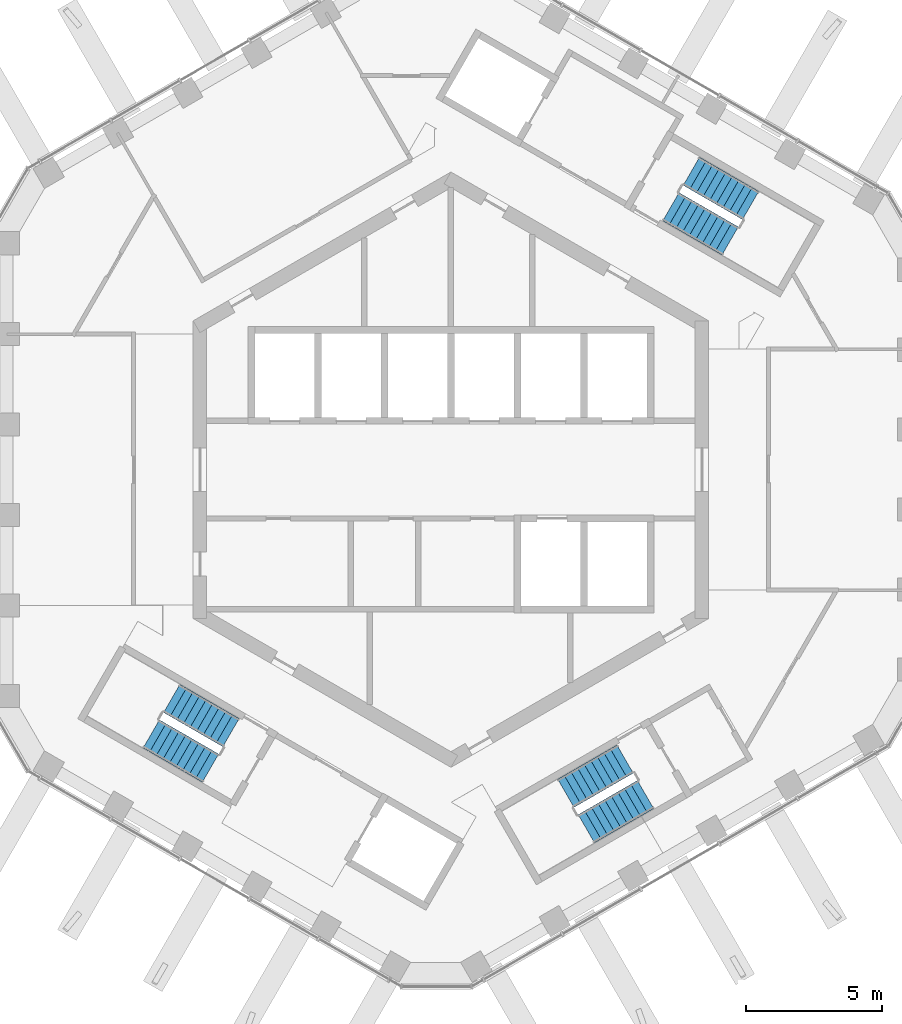
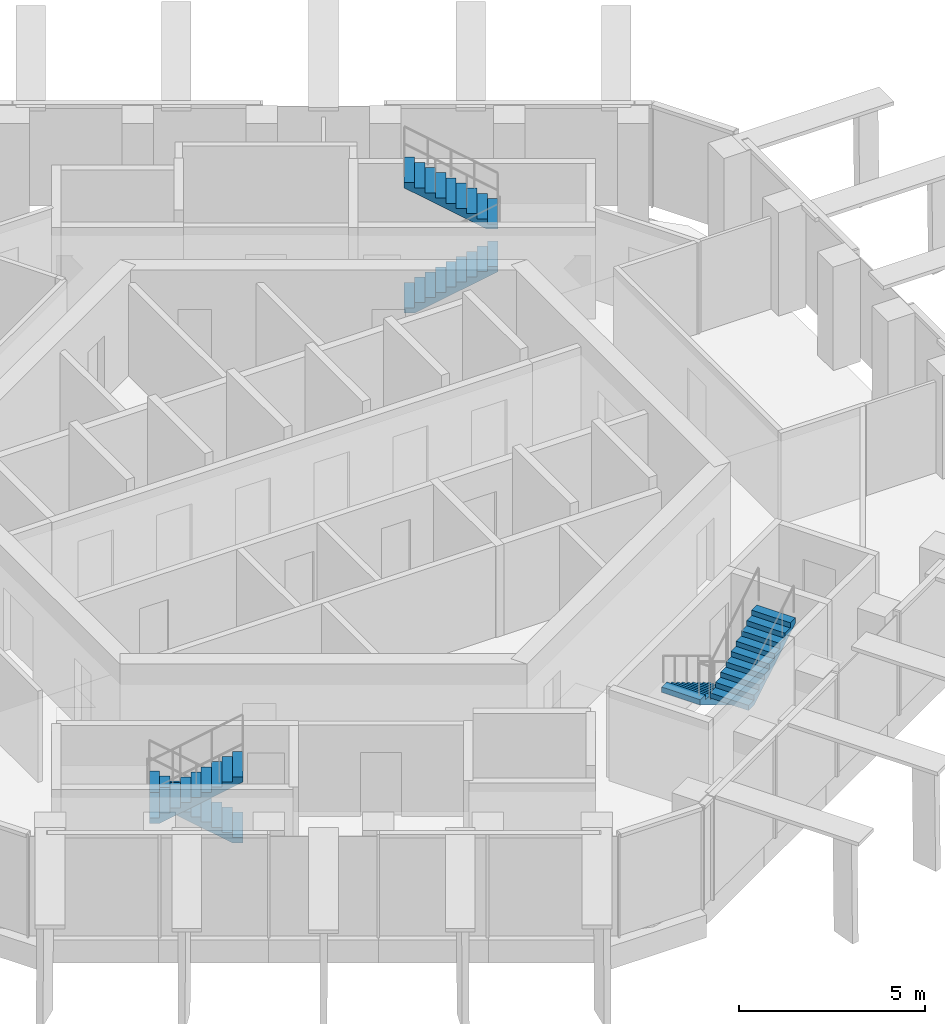
# One storey, part 14 of 17: 6 stair flights, 3 elements without a shape of their own.
"""IFC4 building model written with IfcOpenShell, lengths in metres."""

from ifc_helpers import new_model, si_unit, direction, frame, origin, place, context, subcontext, project, spatial, triangles, material, type_object, element, aggregate, save


model = new_model("IFC4")

# Units and contexts
model_context = context("Model", 3, precision=1e-05, world=origin(), true_north=direction((0.0, 1.0)))
body_context = subcontext(model_context, "Body", "Model", "MODEL_VIEW")
ifc_project = project(units=[si_unit("LENGTHUNIT", "METRE"), si_unit("AREAUNIT", "SQUARE_METRE"), si_unit("VOLUMEUNIT", "CUBIC_METRE"), si_unit("PLANEANGLEUNIT", "RADIAN"), si_unit("MASSUNIT", "GRAM", prefix="KILO")], contexts=[model_context])

# Site, building, storey
site_placement = place(None, origin())
site = spatial("IfcSite", under=ifc_project, at=site_placement, CompositionType="ELEMENT")
building_placement = place(site_placement, origin())
building = spatial("IfcBuilding", under=site, at=building_placement, Name="Ayvan Gate Tower", CompositionType="ELEMENT")
storey_placement = place(building_placement, frame((0.0, 0.0, 249.5)))
storey = spatial("IfcBuildingStorey", under=building, at=storey_placement, Name="L67", CompositionType="ELEMENT", Elevation=249.5)

# Stair, stair flights
ifc_material = material(Name="Concrete C40/50", Category="concrete")
stair_type = type_object("IfcStairType", Name="ST-EXIT", PredefinedType="HALF_TURN_STAIR", material=ifc_material)
stair_1_placement = place(storey_placement, origin())
stair_1 = element("IfcStair", 1, at=stair_1_placement, inside=storey, type_object=stair_type, Name="L67 Exit Stair S1", PredefinedType="HALF_TURN_STAIR")
stair_flight_type = type_object("IfcStairFlightType", Name="SFL-EXIT", PredefinedType="STRAIGHT", material=ifc_material)
stair_flight_1_placement = place(storey_placement, frame((8.106201171875, 9.690185546875, 0.0), z_axis=(0.0, 0.0, 1.0), x_axis=(0.866025403784, -0.5, 0.0)))
stair_flight_1 = element("IfcStairFlight", 2, at=stair_flight_1_placement, type_object=stair_flight_type, Name="STS1 flight 1", NumberOfRisers=10, NumberOfTreads=9, PredefinedType="STRAIGHT", RiserHeight=0.17, TreadLength=0.28, context=body_context, shape_type="Tessellation", body=[
    triangles([(0.288841, -0.599976, 0.0), (2.5205, -0.599976, 1.354936), (2.5205, -0.599976, 1.53), (2.24, -0.599976, 1.53), (2.24, -0.599976, 1.36), (1.96, -0.599976, 1.36), (1.96, -0.599976, 1.19), (1.68, -0.599976, 1.19), (1.68, -0.599976, 1.02), (1.4, -0.599976, 1.02), (1.4, -0.599976, 0.85), (1.12, -0.599976, 0.85), (1.12, -0.599976, 0.68), (0.84, -0.599976, 0.68), (0.84, -0.599976, 0.51), (0.56, -0.599976, 0.51), (0.56, -0.599976, 0.34), (0.28, -0.599976, 0.34), (0.28, -0.599976, 0.17), (-0.0005, -0.599976, 0.17), (-0.0005, -0.599976, 0.0), (0.288841, 0.0, 0.0), (2.5205, 0.0, 1.354936), (2.5205, 0.0, 1.53), (2.24, 0.0, 1.53), (2.24, 0.0, 1.36), (1.96, 0.0, 1.36), (1.96, 0.0, 1.19), (1.68, 0.0, 1.19), (1.68, 0.0, 1.02), (1.4, 0.0, 1.02), (1.4, 0.0, 0.85), (1.12, 0.0, 0.85), (1.12, 0.0, 0.68), (0.84, 0.0, 0.68), (0.84, 0.0, 0.51), (0.56, 0.0, 0.51), (0.56, 0.0, 0.34), (0.28, 0.0, 0.34), (0.28, 0.0, 0.17), (-0.0005, 0.0, 0.17), (-0.0005, 0.0, 0.0), (0.288841, 0.599976, 0.0), (2.5205, 0.599976, 1.354936), (2.5205, 0.599976, 1.53), (2.24, 0.599976, 1.53), (2.24, 0.599976, 1.36), (1.96, 0.599976, 1.36), (1.96, 0.599976, 1.19), (1.68, 0.599976, 1.19), (1.68, 0.599976, 1.02), (1.4, 0.599976, 1.02), (1.4, 0.599976, 0.85), (1.12, 0.599976, 0.85), (1.12, 0.599976, 0.68), (0.84, 0.599976, 0.68), (0.84, 0.599976, 0.51), (0.56, 0.599976, 0.51), (0.56, 0.599976, 0.34), (0.28, 0.599976, 0.34), (0.28, 0.599976, 0.17), (-0.0005, 0.599976, 0.17), (-0.0005, 0.599976, 0.0)], [[21, 1, 2], [63, 44, 43], [2, 3, 4], [44, 46, 45], [2, 4, 5], [44, 47, 46], [2, 5, 6], [44, 48, 47], [2, 6, 7], [44, 49, 48], [7, 8, 9], [49, 51, 50], [2, 7, 9], [44, 51, 49], [9, 10, 11], [51, 53, 52], [2, 9, 11], [44, 53, 51], [11, 12, 13], [53, 55, 54], [2, 11, 13], [44, 55, 53], [13, 14, 15], [55, 57, 56], [2, 13, 15], [44, 57, 55], [15, 16, 17], [57, 59, 58], [2, 15, 17], [44, 59, 57], [17, 18, 19], [59, 61, 60], [2, 17, 19], [44, 61, 59], [21, 2, 19], [63, 61, 44], [19, 20, 21], [61, 63, 62], [1, 22, 23], [1, 23, 2], [43, 23, 22], [43, 44, 23], [2, 23, 24], [2, 24, 3], [44, 24, 23], [44, 45, 24], [3, 24, 25], [3, 25, 4], [45, 25, 24], [45, 46, 25], [4, 25, 26], [4, 26, 5], [46, 26, 25], [46, 47, 26], [5, 26, 27], [5, 27, 6], [47, 27, 26], [47, 48, 27], [6, 27, 28], [6, 28, 7], [48, 28, 27], [48, 49, 28], [7, 28, 29], [7, 29, 8], [49, 29, 28], [49, 50, 29], [8, 29, 30], [8, 30, 9], [50, 30, 29], [50, 51, 30], [9, 30, 31], [9, 31, 10], [51, 31, 30], [51, 52, 31], [10, 31, 32], [10, 32, 11], [52, 32, 31], [52, 53, 32], [11, 32, 33], [11, 33, 12], [53, 33, 32], [53, 54, 33], [12, 33, 34], [12, 34, 13], [54, 34, 33], [54, 55, 34], [13, 34, 35], [13, 35, 14], [55, 35, 34], [55, 56, 35], [14, 35, 36], [14, 36, 15], [56, 36, 35], [56, 57, 36], [15, 36, 37], [15, 37, 16], [57, 37, 36], [57, 58, 37], [16, 37, 38], [16, 38, 17], [58, 38, 37], [58, 59, 38], [17, 38, 39], [17, 39, 18], [59, 39, 38], [59, 60, 39], [18, 39, 40], [18, 40, 19], [60, 40, 39], [60, 61, 40], [19, 40, 41], [19, 41, 20], [61, 41, 40], [61, 62, 41], [20, 41, 42], [20, 42, 21], [62, 42, 41], [62, 63, 42], [21, 42, 22], [21, 22, 1], [63, 22, 42], [63, 43, 22]], closed=True),
])
stair_flight_2_placement = place(storey_placement, frame((11.04345703125, 9.73779296875, 1.699951171875), z_axis=(0.0, 0.0, 1.0), x_axis=(-0.866025403784, 0.5, 0.0)))
stair_flight_2 = element("IfcStairFlight", 3, at=stair_flight_2_placement, type_object=stair_flight_type, Name="STS1 flight 2", NumberOfRisers=10, NumberOfTreads=9, PredefinedType="STRAIGHT", RiserHeight=0.17, TreadLength=0.28, context=body_context, shape_type="Tessellation", body=[
    triangles([(0.288841, -0.599976, 0.0), (2.5205, -0.599976, 1.354936), (2.5205, -0.599976, 1.53), (2.24, -0.599976, 1.53), (2.24, -0.599976, 1.36), (1.96, -0.599976, 1.36), (1.96, -0.599976, 1.19), (1.68, -0.599976, 1.19), (1.68, -0.599976, 1.02), (1.4, -0.599976, 1.02), (1.4, -0.599976, 0.85), (1.12, -0.599976, 0.85), (1.12, -0.599976, 0.68), (0.84, -0.599976, 0.68), (0.84, -0.599976, 0.51), (0.56, -0.599976, 0.51), (0.56, -0.599976, 0.34), (0.28, -0.599976, 0.34), (0.28, -0.599976, 0.17), (-0.0005, -0.599976, 0.17), (-0.0005, -0.599976, 0.0), (0.288841, 0.0, 0.0), (2.5205, 0.0, 1.354936), (2.5205, 0.0, 1.53), (2.24, 0.0, 1.53), (2.24, 0.0, 1.36), (1.96, 0.0, 1.36), (1.96, 0.0, 1.19), (1.68, 0.0, 1.19), (1.68, 0.0, 1.02), (1.4, 0.0, 1.02), (1.4, 0.0, 0.85), (1.12, 0.0, 0.85), (1.12, 0.0, 0.68), (0.84, 0.0, 0.68), (0.84, 0.0, 0.51), (0.56, 0.0, 0.51), (0.56, 0.0, 0.34), (0.28, 0.0, 0.34), (0.28, 0.0, 0.17), (-0.0005, 0.0, 0.17), (-0.0005, 0.0, 0.0), (0.288841, 0.599976, 0.0), (2.5205, 0.599976, 1.354936), (2.5205, 0.599976, 1.53), (2.24, 0.599976, 1.53), (2.24, 0.599976, 1.36), (1.96, 0.599976, 1.36), (1.96, 0.599976, 1.19), (1.68, 0.599976, 1.19), (1.68, 0.599976, 1.02), (1.4, 0.599976, 1.02), (1.4, 0.599976, 0.85), (1.12, 0.599976, 0.85), (1.12, 0.599976, 0.68), (0.84, 0.599976, 0.68), (0.84, 0.599976, 0.51), (0.56, 0.599976, 0.51), (0.56, 0.599976, 0.34), (0.28, 0.599976, 0.34), (0.28, 0.599976, 0.17), (-0.0005, 0.599976, 0.17), (-0.0005, 0.599976, 0.0)], [[21, 1, 2], [63, 44, 43], [2, 3, 4], [44, 46, 45], [2, 4, 5], [44, 47, 46], [2, 5, 6], [44, 48, 47], [2, 6, 7], [44, 49, 48], [7, 8, 9], [49, 51, 50], [2, 7, 9], [44, 51, 49], [9, 10, 11], [51, 53, 52], [2, 9, 11], [44, 53, 51], [11, 12, 13], [53, 55, 54], [2, 11, 13], [44, 55, 53], [13, 14, 15], [55, 57, 56], [2, 13, 15], [44, 57, 55], [15, 16, 17], [57, 59, 58], [2, 15, 17], [44, 59, 57], [17, 18, 19], [59, 61, 60], [2, 17, 19], [44, 61, 59], [21, 2, 19], [63, 61, 44], [19, 20, 21], [61, 63, 62], [1, 22, 23], [1, 23, 2], [43, 23, 22], [43, 44, 23], [2, 23, 24], [2, 24, 3], [44, 24, 23], [44, 45, 24], [3, 24, 25], [3, 25, 4], [45, 25, 24], [45, 46, 25], [4, 25, 26], [4, 26, 5], [46, 26, 25], [46, 47, 26], [5, 26, 27], [5, 27, 6], [47, 27, 26], [47, 48, 27], [6, 27, 28], [6, 28, 7], [48, 28, 27], [48, 49, 28], [7, 28, 29], [7, 29, 8], [49, 29, 28], [49, 50, 29], [8, 29, 30], [8, 30, 9], [50, 30, 29], [50, 51, 30], [9, 30, 31], [9, 31, 10], [51, 31, 30], [51, 52, 31], [10, 31, 32], [10, 32, 11], [52, 32, 31], [52, 53, 32], [11, 32, 33], [11, 33, 12], [53, 33, 32], [53, 54, 33], [12, 33, 34], [12, 34, 13], [54, 34, 33], [54, 55, 34], [13, 34, 35], [13, 35, 14], [55, 35, 34], [55, 56, 35], [14, 35, 36], [14, 36, 15], [56, 36, 35], [56, 57, 36], [15, 36, 37], [15, 37, 16], [57, 37, 36], [57, 58, 37], [16, 37, 38], [16, 38, 17], [58, 38, 37], [58, 59, 38], [17, 38, 39], [17, 39, 18], [59, 39, 38], [59, 60, 39], [18, 39, 40], [18, 40, 19], [60, 40, 39], [60, 61, 40], [19, 40, 41], [19, 41, 20], [61, 41, 40], [61, 62, 41], [20, 41, 42], [20, 42, 21], [62, 42, 41], [62, 63, 42], [21, 42, 22], [21, 22, 1], [63, 22, 42], [63, 43, 22]], closed=True),
])
aggregate(stair_1, [stair_flight_1, stair_flight_2])

stair_2_placement = place(storey_placement, origin())
stair_2 = element("IfcStair", 4, at=stair_2_placement, inside=storey, type_object=stair_type, Name="L67 Exit Stair S2", PredefinedType="HALF_TURN_STAIR")
stair_flight_3_placement = place(storey_placement, frame((-8.106201171875, -9.690185546875, 0.0), z_axis=(0.0, 0.0, 1.0), x_axis=(-0.866025403784, 0.5, 0.0)))
stair_flight_3 = element("IfcStairFlight", 5, at=stair_flight_3_placement, type_object=stair_flight_type, Name="STS2 flight 1", NumberOfRisers=10, NumberOfTreads=9, PredefinedType="STRAIGHT", RiserHeight=0.17, TreadLength=0.28, context=body_context, shape_type="Tessellation", body=[
    triangles([(0.288841, -0.599976, 0.0), (2.5205, -0.599976, 1.354936), (2.5205, -0.599976, 1.53), (2.24, -0.599976, 1.53), (2.24, -0.599976, 1.36), (1.96, -0.599976, 1.36), (1.96, -0.599976, 1.19), (1.68, -0.599976, 1.19), (1.68, -0.599976, 1.02), (1.4, -0.599976, 1.02), (1.4, -0.599976, 0.85), (1.12, -0.599976, 0.85), (1.12, -0.599976, 0.68), (0.84, -0.599976, 0.68), (0.84, -0.599976, 0.51), (0.56, -0.599976, 0.51), (0.56, -0.599976, 0.34), (0.28, -0.599976, 0.34), (0.28, -0.599976, 0.17), (-0.0005, -0.599976, 0.17), (-0.0005, -0.599976, 0.0), (0.288841, 0.0, 0.0), (2.5205, 0.0, 1.354936), (2.5205, 0.0, 1.53), (2.24, 0.0, 1.53), (2.24, 0.0, 1.36), (1.96, 0.0, 1.36), (1.96, 0.0, 1.19), (1.68, 0.0, 1.19), (1.68, 0.0, 1.02), (1.4, 0.0, 1.02), (1.4, 0.0, 0.85), (1.12, 0.0, 0.85), (1.12, 0.0, 0.68), (0.84, 0.0, 0.68), (0.84, 0.0, 0.51), (0.56, 0.0, 0.51), (0.56, 0.0, 0.34), (0.28, 0.0, 0.34), (0.28, 0.0, 0.17), (-0.0005, 0.0, 0.17), (-0.0005, 0.0, 0.0), (0.288841, 0.599976, 0.0), (2.5205, 0.599976, 1.354936), (2.5205, 0.599976, 1.53), (2.24, 0.599976, 1.53), (2.24, 0.599976, 1.36), (1.96, 0.599976, 1.36), (1.96, 0.599976, 1.19), (1.68, 0.599976, 1.19), (1.68, 0.599976, 1.02), (1.4, 0.599976, 1.02), (1.4, 0.599976, 0.85), (1.12, 0.599976, 0.85), (1.12, 0.599976, 0.68), (0.84, 0.599976, 0.68), (0.84, 0.599976, 0.51), (0.56, 0.599976, 0.51), (0.56, 0.599976, 0.34), (0.28, 0.599976, 0.34), (0.28, 0.599976, 0.17), (-0.0005, 0.599976, 0.17), (-0.0005, 0.599976, 0.0)], [[21, 1, 2], [63, 44, 43], [2, 3, 4], [44, 46, 45], [2, 4, 5], [44, 47, 46], [2, 5, 6], [44, 48, 47], [2, 6, 7], [44, 49, 48], [7, 8, 9], [49, 51, 50], [2, 7, 9], [44, 51, 49], [9, 10, 11], [51, 53, 52], [2, 9, 11], [44, 53, 51], [11, 12, 13], [53, 55, 54], [2, 11, 13], [44, 55, 53], [13, 14, 15], [55, 57, 56], [2, 13, 15], [44, 57, 55], [15, 16, 17], [57, 59, 58], [2, 15, 17], [44, 59, 57], [17, 18, 19], [59, 61, 60], [2, 17, 19], [44, 61, 59], [21, 2, 19], [63, 61, 44], [19, 20, 21], [61, 63, 62], [1, 22, 23], [1, 23, 2], [43, 23, 22], [43, 44, 23], [2, 23, 24], [2, 24, 3], [44, 24, 23], [44, 45, 24], [3, 24, 25], [3, 25, 4], [45, 25, 24], [45, 46, 25], [4, 25, 26], [4, 26, 5], [46, 26, 25], [46, 47, 26], [5, 26, 27], [5, 27, 6], [47, 27, 26], [47, 48, 27], [6, 27, 28], [6, 28, 7], [48, 28, 27], [48, 49, 28], [7, 28, 29], [7, 29, 8], [49, 29, 28], [49, 50, 29], [8, 29, 30], [8, 30, 9], [50, 30, 29], [50, 51, 30], [9, 30, 31], [9, 31, 10], [51, 31, 30], [51, 52, 31], [10, 31, 32], [10, 32, 11], [52, 32, 31], [52, 53, 32], [11, 32, 33], [11, 33, 12], [53, 33, 32], [53, 54, 33], [12, 33, 34], [12, 34, 13], [54, 34, 33], [54, 55, 34], [13, 34, 35], [13, 35, 14], [55, 35, 34], [55, 56, 35], [14, 35, 36], [14, 36, 15], [56, 36, 35], [56, 57, 36], [15, 36, 37], [15, 37, 16], [57, 37, 36], [57, 58, 37], [16, 37, 38], [16, 38, 17], [58, 38, 37], [58, 59, 38], [17, 38, 39], [17, 39, 18], [59, 39, 38], [59, 60, 39], [18, 39, 40], [18, 40, 19], [60, 40, 39], [60, 61, 40], [19, 40, 41], [19, 41, 20], [61, 41, 40], [61, 62, 41], [20, 41, 42], [20, 42, 21], [62, 42, 41], [62, 63, 42], [21, 42, 22], [21, 22, 1], [63, 22, 42], [63, 43, 22]], closed=True),
])
stair_flight_4_placement = place(storey_placement, frame((-11.04345703125, -9.73779296875, 1.699951171875), z_axis=(0.0, 0.0, 1.0), x_axis=(0.866025403784, -0.5, 0.0)))
stair_flight_4 = element("IfcStairFlight", 6, at=stair_flight_4_placement, type_object=stair_flight_type, Name="STS2 flight 2", NumberOfRisers=10, NumberOfTreads=9, PredefinedType="STRAIGHT", RiserHeight=0.17, TreadLength=0.28, context=body_context, shape_type="Tessellation", body=[
    triangles([(0.288841, -0.599976, 0.0), (2.5205, -0.599976, 1.354936), (2.5205, -0.599976, 1.53), (2.24, -0.599976, 1.53), (2.24, -0.599976, 1.36), (1.96, -0.599976, 1.36), (1.96, -0.599976, 1.19), (1.68, -0.599976, 1.19), (1.68, -0.599976, 1.02), (1.4, -0.599976, 1.02), (1.4, -0.599976, 0.85), (1.12, -0.599976, 0.85), (1.12, -0.599976, 0.68), (0.84, -0.599976, 0.68), (0.84, -0.599976, 0.51), (0.56, -0.599976, 0.51), (0.56, -0.599976, 0.34), (0.28, -0.599976, 0.34), (0.28, -0.599976, 0.17), (-0.0005, -0.599976, 0.17), (-0.0005, -0.599976, 0.0), (0.288841, 0.0, 0.0), (2.5205, 0.0, 1.354936), (2.5205, 0.0, 1.53), (2.24, 0.0, 1.53), (2.24, 0.0, 1.36), (1.96, 0.0, 1.36), (1.96, 0.0, 1.19), (1.68, 0.0, 1.19), (1.68, 0.0, 1.02), (1.4, 0.0, 1.02), (1.4, 0.0, 0.85), (1.12, 0.0, 0.85), (1.12, 0.0, 0.68), (0.84, 0.0, 0.68), (0.84, 0.0, 0.51), (0.56, 0.0, 0.51), (0.56, 0.0, 0.34), (0.28, 0.0, 0.34), (0.28, 0.0, 0.17), (-0.0005, 0.0, 0.17), (-0.0005, 0.0, 0.0), (0.288841, 0.599976, 0.0), (2.5205, 0.599976, 1.354936), (2.5205, 0.599976, 1.53), (2.24, 0.599976, 1.53), (2.24, 0.599976, 1.36), (1.96, 0.599976, 1.36), (1.96, 0.599976, 1.19), (1.68, 0.599976, 1.19), (1.68, 0.599976, 1.02), (1.4, 0.599976, 1.02), (1.4, 0.599976, 0.85), (1.12, 0.599976, 0.85), (1.12, 0.599976, 0.68), (0.84, 0.599976, 0.68), (0.84, 0.599976, 0.51), (0.56, 0.599976, 0.51), (0.56, 0.599976, 0.34), (0.28, 0.599976, 0.34), (0.28, 0.599976, 0.17), (-0.0005, 0.599976, 0.17), (-0.0005, 0.599976, 0.0)], [[21, 1, 2], [63, 44, 43], [2, 3, 4], [44, 46, 45], [2, 4, 5], [44, 47, 46], [2, 5, 6], [44, 48, 47], [2, 6, 7], [44, 49, 48], [7, 8, 9], [49, 51, 50], [2, 7, 9], [44, 51, 49], [9, 10, 11], [51, 53, 52], [2, 9, 11], [44, 53, 51], [11, 12, 13], [53, 55, 54], [2, 11, 13], [44, 55, 53], [13, 14, 15], [55, 57, 56], [2, 13, 15], [44, 57, 55], [15, 16, 17], [57, 59, 58], [2, 15, 17], [44, 59, 57], [17, 18, 19], [59, 61, 60], [2, 17, 19], [44, 61, 59], [21, 2, 19], [63, 61, 44], [19, 20, 21], [61, 63, 62], [1, 22, 23], [1, 23, 2], [43, 23, 22], [43, 44, 23], [2, 23, 24], [2, 24, 3], [44, 24, 23], [44, 45, 24], [3, 24, 25], [3, 25, 4], [45, 25, 24], [45, 46, 25], [4, 25, 26], [4, 26, 5], [46, 26, 25], [46, 47, 26], [5, 26, 27], [5, 27, 6], [47, 27, 26], [47, 48, 27], [6, 27, 28], [6, 28, 7], [48, 28, 27], [48, 49, 28], [7, 28, 29], [7, 29, 8], [49, 29, 28], [49, 50, 29], [8, 29, 30], [8, 30, 9], [50, 30, 29], [50, 51, 30], [9, 30, 31], [9, 31, 10], [51, 31, 30], [51, 52, 31], [10, 31, 32], [10, 32, 11], [52, 32, 31], [52, 53, 32], [11, 32, 33], [11, 33, 12], [53, 33, 32], [53, 54, 33], [12, 33, 34], [12, 34, 13], [54, 34, 33], [54, 55, 34], [13, 34, 35], [13, 35, 14], [55, 35, 34], [55, 56, 35], [14, 35, 36], [14, 36, 15], [56, 36, 35], [56, 57, 36], [15, 36, 37], [15, 37, 16], [57, 37, 36], [57, 58, 37], [16, 37, 38], [16, 38, 17], [58, 38, 37], [58, 59, 38], [17, 38, 39], [17, 39, 18], [59, 39, 38], [59, 60, 39], [18, 39, 40], [18, 40, 19], [60, 40, 39], [60, 61, 40], [19, 40, 41], [19, 41, 20], [61, 41, 40], [61, 62, 41], [20, 41, 42], [20, 42, 21], [62, 42, 41], [62, 63, 42], [21, 42, 22], [21, 22, 1], [63, 22, 42], [63, 43, 22]], closed=True),
])
aggregate(stair_2, [stair_flight_3, stair_flight_4])

stair_3_placement = place(storey_placement, origin())
stair_3 = element("IfcStair", 7, at=stair_3_placement, inside=storey, type_object=stair_type, Name="L67 Exit Stair S3", PredefinedType="HALF_TURN_STAIR")
stair_flight_5_placement = place(storey_placement, frame((6.417236328125, -10.665283203125, 0.0), z_axis=(0.0, 0.0, 1.0), x_axis=(-0.866025403784, -0.5, 0.0)))
stair_flight_5 = element("IfcStairFlight", 8, at=stair_flight_5_placement, type_object=stair_flight_type, Name="STS3 flight 1", NumberOfRisers=10, NumberOfTreads=9, PredefinedType="STRAIGHT", RiserHeight=0.17, TreadLength=0.28, context=body_context, shape_type="Tessellation", body=[
    triangles([(0.288841, -0.599976, 0.0), (2.5205, -0.599976, 1.354936), (2.5205, -0.599976, 1.53), (2.24, -0.599976, 1.53), (2.24, -0.599976, 1.36), (1.96, -0.599976, 1.36), (1.96, -0.599976, 1.19), (1.68, -0.599976, 1.19), (1.68, -0.599976, 1.02), (1.4, -0.599976, 1.02), (1.4, -0.599976, 0.85), (1.12, -0.599976, 0.85), (1.12, -0.599976, 0.68), (0.84, -0.599976, 0.68), (0.84, -0.599976, 0.51), (0.56, -0.599976, 0.51), (0.56, -0.599976, 0.34), (0.28, -0.599976, 0.34), (0.28, -0.599976, 0.17), (-0.0005, -0.599976, 0.17), (-0.0005, -0.599976, 0.0), (0.288841, 0.0, 0.0), (2.5205, 0.0, 1.354936), (2.5205, 0.0, 1.53), (2.24, 0.0, 1.53), (2.24, 0.0, 1.36), (1.96, 0.0, 1.36), (1.96, 0.0, 1.19), (1.68, 0.0, 1.19), (1.68, 0.0, 1.02), (1.4, 0.0, 1.02), (1.4, 0.0, 0.85), (1.12, 0.0, 0.85), (1.12, 0.0, 0.68), (0.84, 0.0, 0.68), (0.84, 0.0, 0.51), (0.56, 0.0, 0.51), (0.56, 0.0, 0.34), (0.28, 0.0, 0.34), (0.28, 0.0, 0.17), (-0.0005, 0.0, 0.17), (-0.0005, 0.0, 0.0), (0.288841, 0.599976, 0.0), (2.5205, 0.599976, 1.354936), (2.5205, 0.599976, 1.53), (2.24, 0.599976, 1.53), (2.24, 0.599976, 1.36), (1.96, 0.599976, 1.36), (1.96, 0.599976, 1.19), (1.68, 0.599976, 1.19), (1.68, 0.599976, 1.02), (1.4, 0.599976, 1.02), (1.4, 0.599976, 0.85), (1.12, 0.599976, 0.85), (1.12, 0.599976, 0.68), (0.84, 0.599976, 0.68), (0.84, 0.599976, 0.51), (0.56, 0.599976, 0.51), (0.56, 0.599976, 0.34), (0.28, 0.599976, 0.34), (0.28, 0.599976, 0.17), (-0.0005, 0.599976, 0.17), (-0.0005, 0.599976, 0.0)], [[21, 1, 2], [63, 44, 43], [2, 3, 4], [44, 46, 45], [2, 4, 5], [44, 47, 46], [2, 5, 6], [44, 48, 47], [2, 6, 7], [44, 49, 48], [7, 8, 9], [49, 51, 50], [2, 7, 9], [44, 51, 49], [9, 10, 11], [51, 53, 52], [2, 9, 11], [44, 53, 51], [11, 12, 13], [53, 55, 54], [2, 11, 13], [44, 55, 53], [13, 14, 15], [55, 57, 56], [2, 13, 15], [44, 57, 55], [15, 16, 17], [57, 59, 58], [2, 15, 17], [44, 59, 57], [17, 18, 19], [59, 61, 60], [2, 17, 19], [44, 61, 59], [21, 2, 19], [63, 61, 44], [19, 20, 21], [61, 63, 62], [1, 22, 23], [1, 23, 2], [43, 23, 22], [43, 44, 23], [2, 23, 24], [2, 24, 3], [44, 24, 23], [44, 45, 24], [3, 24, 25], [3, 25, 4], [45, 25, 24], [45, 46, 25], [4, 25, 26], [4, 26, 5], [46, 26, 25], [46, 47, 26], [5, 26, 27], [5, 27, 6], [47, 27, 26], [47, 48, 27], [6, 27, 28], [6, 28, 7], [48, 28, 27], [48, 49, 28], [7, 28, 29], [7, 29, 8], [49, 29, 28], [49, 50, 29], [8, 29, 30], [8, 30, 9], [50, 30, 29], [50, 51, 30], [9, 30, 31], [9, 31, 10], [51, 31, 30], [51, 52, 31], [10, 31, 32], [10, 32, 11], [52, 32, 31], [52, 53, 32], [11, 32, 33], [11, 33, 12], [53, 33, 32], [53, 54, 33], [12, 33, 34], [12, 34, 13], [54, 34, 33], [54, 55, 34], [13, 34, 35], [13, 35, 14], [55, 35, 34], [55, 56, 35], [14, 35, 36], [14, 36, 15], [56, 36, 35], [56, 57, 36], [15, 36, 37], [15, 37, 16], [57, 37, 36], [57, 58, 37], [16, 37, 38], [16, 38, 17], [58, 38, 37], [58, 59, 38], [17, 38, 39], [17, 39, 18], [59, 39, 38], [59, 60, 39], [18, 39, 40], [18, 40, 19], [60, 40, 39], [60, 61, 40], [19, 40, 41], [19, 41, 20], [61, 41, 40], [61, 62, 41], [20, 41, 42], [20, 42, 21], [62, 42, 41], [62, 63, 42], [21, 42, 22], [21, 22, 1], [63, 22, 42], [63, 43, 22]], closed=True),
])
stair_flight_6_placement = place(storey_placement, frame((4.989990234375, -13.23291015625, 1.699951171875), z_axis=(0.0, 0.0, 1.0), x_axis=(0.866025403784, 0.5, 0.0)))
stair_flight_6 = element("IfcStairFlight", 9, at=stair_flight_6_placement, type_object=stair_flight_type, Name="STS3 flight 2", NumberOfRisers=10, NumberOfTreads=9, PredefinedType="STRAIGHT", RiserHeight=0.17, TreadLength=0.28, context=body_context, shape_type="Tessellation", body=[
    triangles([(0.288841, -0.599976, 0.0), (2.5205, -0.599976, 1.354936), (2.5205, -0.599976, 1.53), (2.24, -0.599976, 1.53), (2.24, -0.599976, 1.36), (1.96, -0.599976, 1.36), (1.96, -0.599976, 1.19), (1.68, -0.599976, 1.19), (1.68, -0.599976, 1.02), (1.4, -0.599976, 1.02), (1.4, -0.599976, 0.85), (1.12, -0.599976, 0.85), (1.12, -0.599976, 0.68), (0.84, -0.599976, 0.68), (0.84, -0.599976, 0.51), (0.56, -0.599976, 0.51), (0.56, -0.599976, 0.34), (0.28, -0.599976, 0.34), (0.28, -0.599976, 0.17), (-0.0005, -0.599976, 0.17), (-0.0005, -0.599976, 0.0), (0.288841, 0.0, 0.0), (2.5205, 0.0, 1.354936), (2.5205, 0.0, 1.53), (2.24, 0.0, 1.53), (2.24, 0.0, 1.36), (1.96, 0.0, 1.36), (1.96, 0.0, 1.19), (1.68, 0.0, 1.19), (1.68, 0.0, 1.02), (1.4, 0.0, 1.02), (1.4, 0.0, 0.85), (1.12, 0.0, 0.85), (1.12, 0.0, 0.68), (0.84, 0.0, 0.68), (0.84, 0.0, 0.51), (0.56, 0.0, 0.51), (0.56, 0.0, 0.34), (0.28, 0.0, 0.34), (0.28, 0.0, 0.17), (-0.0005, 0.0, 0.17), (-0.0005, 0.0, 0.0), (0.288841, 0.599976, 0.0), (2.5205, 0.599976, 1.354936), (2.5205, 0.599976, 1.53), (2.24, 0.599976, 1.53), (2.24, 0.599976, 1.36), (1.96, 0.599976, 1.36), (1.96, 0.599976, 1.19), (1.68, 0.599976, 1.19), (1.68, 0.599976, 1.02), (1.4, 0.599976, 1.02), (1.4, 0.599976, 0.85), (1.12, 0.599976, 0.85), (1.12, 0.599976, 0.68), (0.84, 0.599976, 0.68), (0.84, 0.599976, 0.51), (0.56, 0.599976, 0.51), (0.56, 0.599976, 0.34), (0.28, 0.599976, 0.34), (0.28, 0.599976, 0.17), (-0.0005, 0.599976, 0.17), (-0.0005, 0.599976, 0.0)], [[21, 1, 2], [63, 44, 43], [2, 3, 4], [44, 46, 45], [2, 4, 5], [44, 47, 46], [2, 5, 6], [44, 48, 47], [2, 6, 7], [44, 49, 48], [7, 8, 9], [49, 51, 50], [2, 7, 9], [44, 51, 49], [9, 10, 11], [51, 53, 52], [2, 9, 11], [44, 53, 51], [11, 12, 13], [53, 55, 54], [2, 11, 13], [44, 55, 53], [13, 14, 15], [55, 57, 56], [2, 13, 15], [44, 57, 55], [15, 16, 17], [57, 59, 58], [2, 15, 17], [44, 59, 57], [17, 18, 19], [59, 61, 60], [2, 17, 19], [44, 61, 59], [21, 2, 19], [63, 61, 44], [19, 20, 21], [61, 63, 62], [1, 22, 23], [1, 23, 2], [43, 23, 22], [43, 44, 23], [2, 23, 24], [2, 24, 3], [44, 24, 23], [44, 45, 24], [3, 24, 25], [3, 25, 4], [45, 25, 24], [45, 46, 25], [4, 25, 26], [4, 26, 5], [46, 26, 25], [46, 47, 26], [5, 26, 27], [5, 27, 6], [47, 27, 26], [47, 48, 27], [6, 27, 28], [6, 28, 7], [48, 28, 27], [48, 49, 28], [7, 28, 29], [7, 29, 8], [49, 29, 28], [49, 50, 29], [8, 29, 30], [8, 30, 9], [50, 30, 29], [50, 51, 30], [9, 30, 31], [9, 31, 10], [51, 31, 30], [51, 52, 31], [10, 31, 32], [10, 32, 11], [52, 32, 31], [52, 53, 32], [11, 32, 33], [11, 33, 12], [53, 33, 32], [53, 54, 33], [12, 33, 34], [12, 34, 13], [54, 34, 33], [54, 55, 34], [13, 34, 35], [13, 35, 14], [55, 35, 34], [55, 56, 35], [14, 35, 36], [14, 36, 15], [56, 36, 35], [56, 57, 36], [15, 36, 37], [15, 37, 16], [57, 37, 36], [57, 58, 37], [16, 37, 38], [16, 38, 17], [58, 38, 37], [58, 59, 38], [17, 38, 39], [17, 39, 18], [59, 39, 38], [59, 60, 39], [18, 39, 40], [18, 40, 19], [60, 40, 39], [60, 61, 40], [19, 40, 41], [19, 41, 20], [61, 41, 40], [61, 62, 41], [20, 41, 42], [20, 42, 21], [62, 42, 41], [62, 63, 42], [21, 42, 22], [21, 22, 1], [63, 22, 42], [63, 43, 22]], closed=True),
])
aggregate(stair_3, [stair_flight_5, stair_flight_6])

save(model, "model.ifc")
